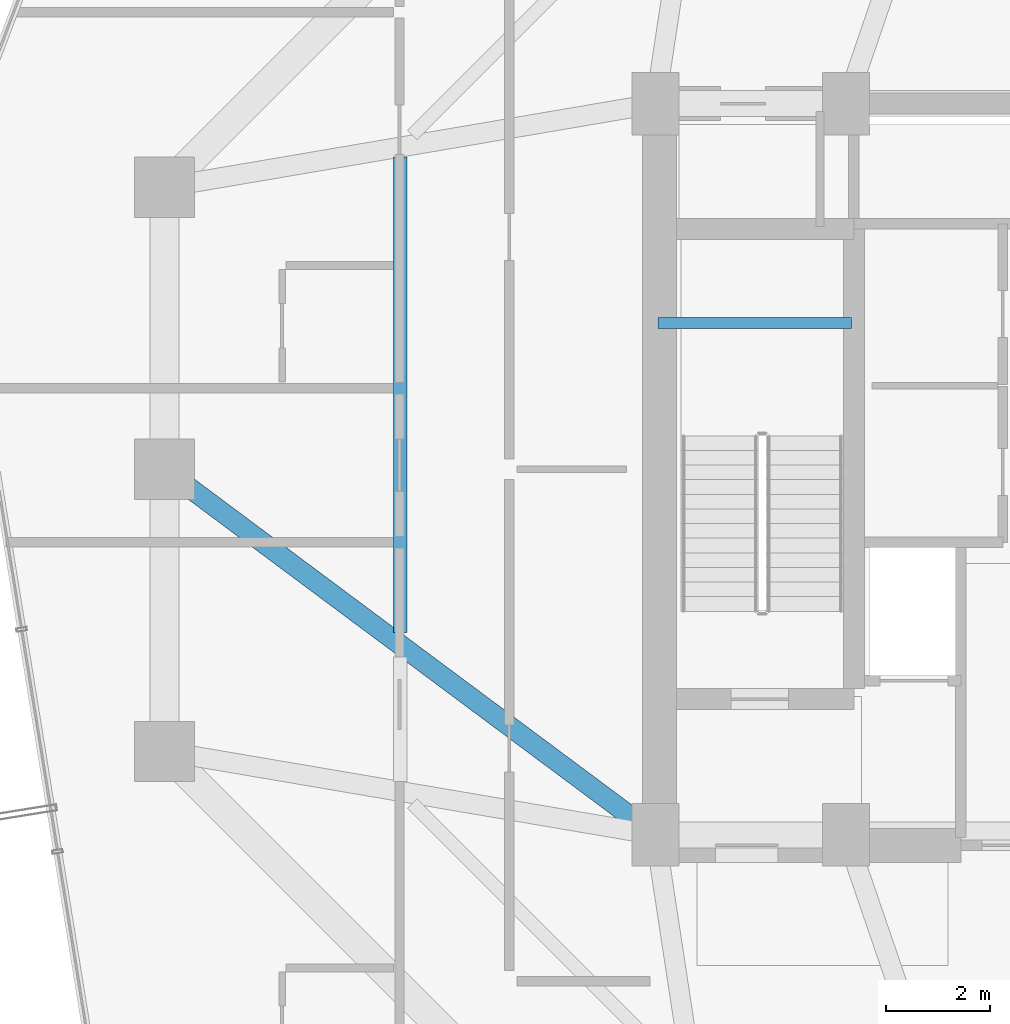
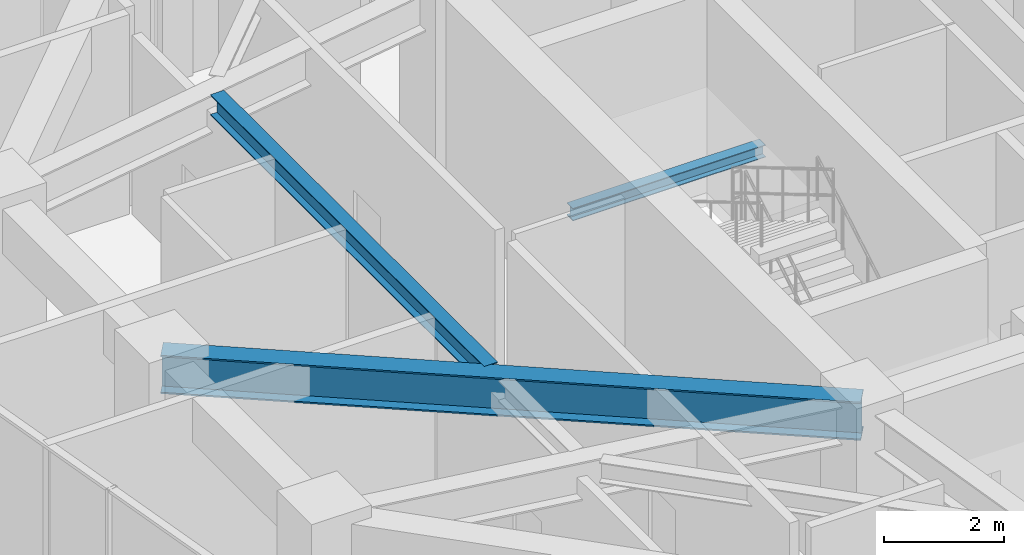
# One storey, part 9 of 26: 3 beams.
"""IFC4 building model written with IfcOpenShell, lengths in metres."""

from ifc_helpers import new_model, si_unit, direction, frame, origin, origin_2d, place, context, subcontext, project, spatial, i_section, extrude, material, material_profile, profile_set, type_object, element, save


model = new_model("IFC4")

# Units and contexts
model_context = context("Model", 3, precision=1e-05, world=origin(), true_north=direction((0.0, 1.0)))
body_context = subcontext(model_context, "Body", "Model", "MODEL_VIEW")
ifc_project = project(units=[si_unit("LENGTHUNIT", "METRE"), si_unit("AREAUNIT", "SQUARE_METRE"), si_unit("VOLUMEUNIT", "CUBIC_METRE"), si_unit("PLANEANGLEUNIT", "RADIAN"), si_unit("MASSUNIT", "GRAM", prefix="KILO")], contexts=[model_context])

# Site, building, storey
site_placement = place(None, origin())
site = spatial("IfcSite", under=ifc_project, at=site_placement, CompositionType="ELEMENT")
building_placement = place(site_placement, origin())
building = spatial("IfcBuilding", under=site, at=building_placement, Name="Veraguas Prism Commons", CompositionType="ELEMENT")
storey_placement = place(building_placement, frame((0.0, 0.0, 158.75)))
storey = spatial("IfcBuildingStorey", under=building, at=storey_placement, Name="L45", CompositionType="ELEMENT", Elevation=158.75)

# Beams
ifc_material = material(Name="Steel ASTM A992 Grade 50", Category="steel")
ifc_material_profile_1 = material_profile(ifc_material, i_section(OverallWidth=0.382080078125, OverallDepth=0.779052734375, WebThickness=0.01806640625, FlangeThickness=0.030029296875, at=origin_2d()), Name="W760X284")
ifc_profile_set_1 = profile_set([ifc_material_profile_1], Name="Steel ASTM A992 Grade 50")
beam_type_1 = type_object("IfcBeamType", Name="Assembly Primary Girder W760x284", PredefinedType="BEAM", material=ifc_profile_set_1)
beam_1_placement = place(storey_placement, frame((7.800048828125, 24.0, 3.660400390625), z_axis=(0.802040137921, -0.597270137512, 0.0), x_axis=(0.597270137512, 0.802040137921, 0.0)))
element("IfcBeam", 1, at=beam_1_placement, inside=storey, type_object=beam_type_1, Name="Radial Floor Girder L45-RD08", PredefinedType="BEAM", context=body_context, shape_type="SweptSolid", body=[
    extrude(i_section(OverallWidth=0.382080078125, OverallDepth=0.779052734375, WebThickness=0.01806640625, FlangeThickness=0.030029296875, at=origin_2d()), origin(), (0.0, 0.0, 1.0), 11.719970703125),
])
ifc_material_profile_2 = material_profile(ifc_material, i_section(OverallWidth=0.260986328125, OverallDepth=0.419921875, WebThickness=0.01171875, FlangeThickness=0.019287109375, at=origin_2d()), Name="W410X114")
ifc_profile_set_2 = profile_set([ifc_material_profile_2], Name="Steel ASTM A992 Grade 50")
beam_type_2 = type_object("IfcBeamType", Name="Lower Floor Joist W410x114", PredefinedType="JOIST", material=ifc_profile_set_2)
beam_2_placement = place(storey_placement, frame((12.31201171875, 29.976318359375, 3.840087890625), z_axis=(0.0, -1.0, 0.0), x_axis=(1.0, 0.0, 0.0)))
element("IfcBeam", 2, at=beam_2_placement, inside=storey, type_object=beam_type_2, Name="Composite Floor Joist L45-JS07", PredefinedType="JOIST", context=body_context, shape_type="SweptSolid", body=[
    extrude(i_section(OverallWidth=0.260986328125, OverallDepth=0.419921875, WebThickness=0.01171875, FlangeThickness=0.019287109375, at=origin_2d()), origin(), (0.0, 0.0, 1.0), 9.100830078125),
])
ifc_material_profile_3 = material_profile(ifc_material, i_section(OverallWidth=0.202880859375, OverallDepth=0.251953125, WebThickness=0.008056640625, FlangeThickness=0.013427734375, at=origin_2d()), Name="W250X58")
ifc_profile_set_3 = profile_set([ifc_material_profile_3], Name="Steel ASTM A992 Grade 50")
beam_type_3 = type_object("IfcBeamType", Name="Structural Opening Lintel W250x58", PredefinedType="LINTEL", material=ifc_profile_set_3)
beam_3_placement = place(storey_placement, frame((17.25, 26.800048828125, 1.823974609375), z_axis=(1.0, 0.0, 0.0), x_axis=(0.0, 1.0, 0.0)))
element("IfcBeam", 3, at=beam_3_placement, inside=storey, type_object=beam_type_3, Name="Stair ST-01 Half-Landing Support Beam L45-1", PredefinedType="LINTEL", context=body_context, shape_type="SweptSolid", body=[
    extrude(i_section(OverallWidth=0.202880859375, OverallDepth=0.251953125, WebThickness=0.008056640625, FlangeThickness=0.013427734375, at=origin_2d()), origin(), (0.0, 0.0, 1.0), 3.699951171875),
])

save(model, "model.ifc")
